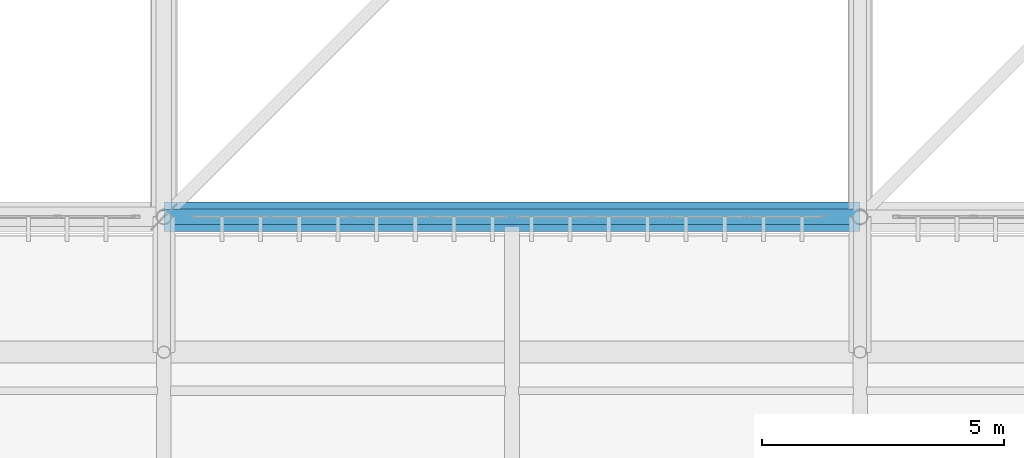
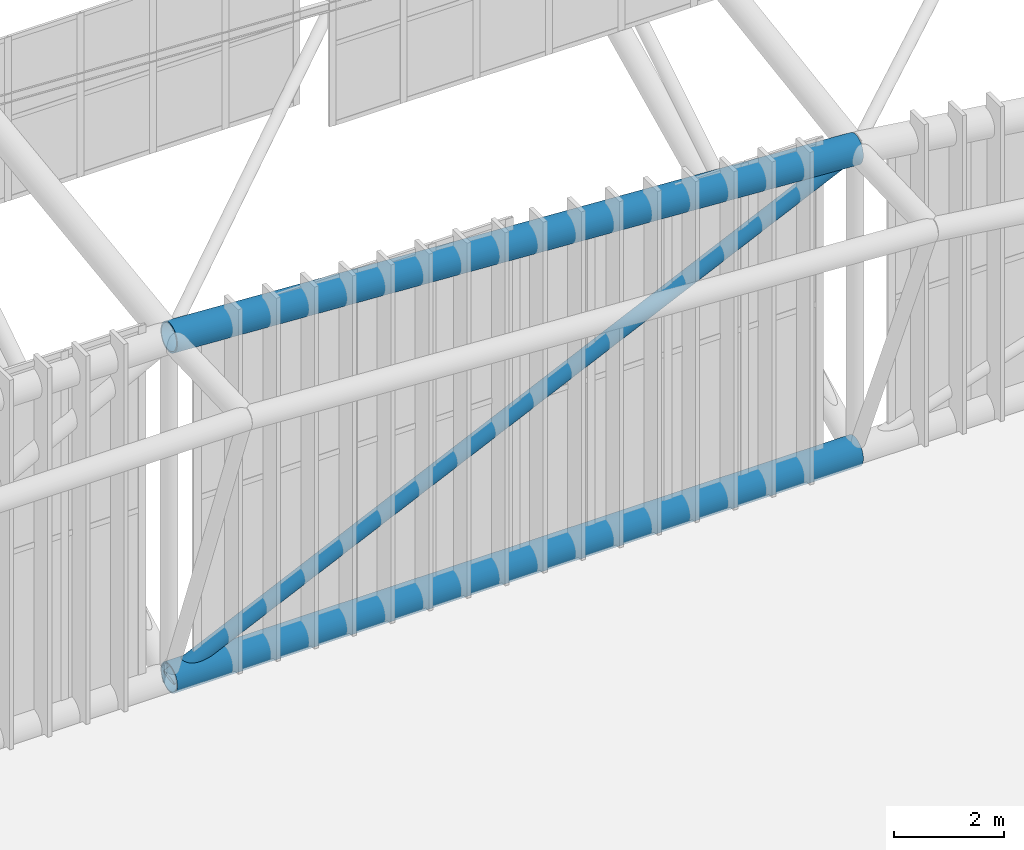
# One storey, part 80 of 397: 2 beams, 1 member.
"""IFC4 building model written with IfcOpenShell, lengths in metres."""

from ifc_helpers import new_model, si_unit, direction, frame, origin, origin_2d, place, context, subcontext, project, spatial, hollow_circle, extrude, material, material_profile, profile_set, type_object, element, save


model = new_model("IFC4")

# Units and contexts
model_context = context("Model", 3, precision=1e-05, world=origin(), true_north=direction((0.0, 1.0)))
body_context = subcontext(model_context, "Body", "Model", "MODEL_VIEW")
ifc_project = project(units=[si_unit("LENGTHUNIT", "METRE"), si_unit("AREAUNIT", "SQUARE_METRE"), si_unit("VOLUMEUNIT", "CUBIC_METRE"), si_unit("PLANEANGLEUNIT", "RADIAN"), si_unit("MASSUNIT", "GRAM", prefix="KILO")], contexts=[model_context])

# Site, building, storey
site_placement = place(None, origin())
site = spatial("IfcSite", under=ifc_project, at=site_placement, CompositionType="ELEMENT")
building_placement = place(site_placement, origin())
building = spatial("IfcBuilding", under=site, at=building_placement, Name="Qandorah Velis Arena", CompositionType="ELEMENT")
storey_placement = place(building_placement, frame((0.0, 0.0, 27.5)))
storey = spatial("IfcBuildingStorey", under=building, at=storey_placement, Name="RF", CompositionType="ELEMENT", Elevation=27.5)

# Beams
ifc_material_1 = material(Name="Steel S460", Category="steel")
ifc_material_profile_1 = material_profile(ifc_material_1, hollow_circle(Radius=0.304931640625, WallThickness=0.02490234375, at=origin_2d()), Name="CHS 610x25")
ifc_profile_set_1 = profile_set([ifc_material_profile_1], Name="Steel S460")
beam_type_1 = type_object("IfcBeamType", Name="STR-SFC-CHS610X25", PredefinedType="USERDEFINED", material=ifc_profile_set_1)
beam_1_placement = place(storey_placement, frame((72.0, 14.39990234375, 0.10009765625), z_axis=(1.0, 0.0, 0.0), x_axis=(0.0, 1.0, 0.0)))
element("IfcBeam", 1, at=beam_1_placement, inside=storey, type_object=beam_type_1, Name="Space frame roof truss bottom chord X 4.0", ObjectType="ROOF TRUSS", PredefinedType="USERDEFINED", context=body_context, shape_type="SweptSolid", body=[
    extrude(hollow_circle(Radius=0.304931640625, WallThickness=0.02490234375, at=origin_2d()), origin(), (0.0, 0.0, 1.0), 14.39990234375),
])
ifc_material_profile_2 = material_profile(ifc_material_1, hollow_circle(Radius=0.304931640625, WallThickness=0.031982421875, at=origin_2d()), Name="CHS 610x32")
ifc_profile_set_2 = profile_set([ifc_material_profile_2], Name="Steel S460")
beam_type_2 = type_object("IfcBeamType", Name="STR-SFC-CHS610X32", PredefinedType="USERDEFINED", material=ifc_profile_set_2)
beam_2_placement = place(storey_placement, frame((72.0, 14.39990234375, 7.65576171875), z_axis=(0.99823599483, 0.0, -0.0593708567), x_axis=(0.0, 1.0, 0.0)))
element("IfcBeam", 2, at=beam_2_placement, inside=storey, type_object=beam_type_2, Name="Space frame roof truss top chord X 4.0", ObjectType="ROOF TRUSS", PredefinedType="USERDEFINED", context=body_context, shape_type="SweptSolid", body=[
    extrude(hollow_circle(Radius=0.304931640625, WallThickness=0.031982421875, at=origin_2d()), origin(), (0.0, 0.0, 1.0), 14.42529296875),
])

# Member
ifc_material_2 = material(Name="Steel S355", Category="steel")
ifc_material_profile_3 = material_profile(ifc_material_2, hollow_circle(Radius=0.161865234375, WallThickness=0.01611328125, at=origin_2d()), Name="CHS 323.9x16")
ifc_profile_set_3 = profile_set([ifc_material_profile_3], Name="Steel S355")
member_type = type_object("IfcMemberType", Name="STR-SFD-CHS323X16", PredefinedType="CHORD", material=ifc_profile_set_3)
member_placement = place(storey_placement, frame((72.0, 14.39990234375, 0.10009765625), z_axis=(0.906682831456, 0.0, 0.42181304288), x_axis=(0.0, 1.0, 0.0)))
element("IfcMember", 3, at=member_placement, inside=storey, type_object=member_type, Name="Space frame roof diagonal X 4.0", PredefinedType="CHORD", context=body_context, shape_type="SweptSolid", body=[
    extrude(hollow_circle(Radius=0.161865234375, WallThickness=0.01611328125, at=origin_2d()), origin(), (0.0, 0.0, 1.0), 15.882080078125),
])

save(model, "model.ifc")
